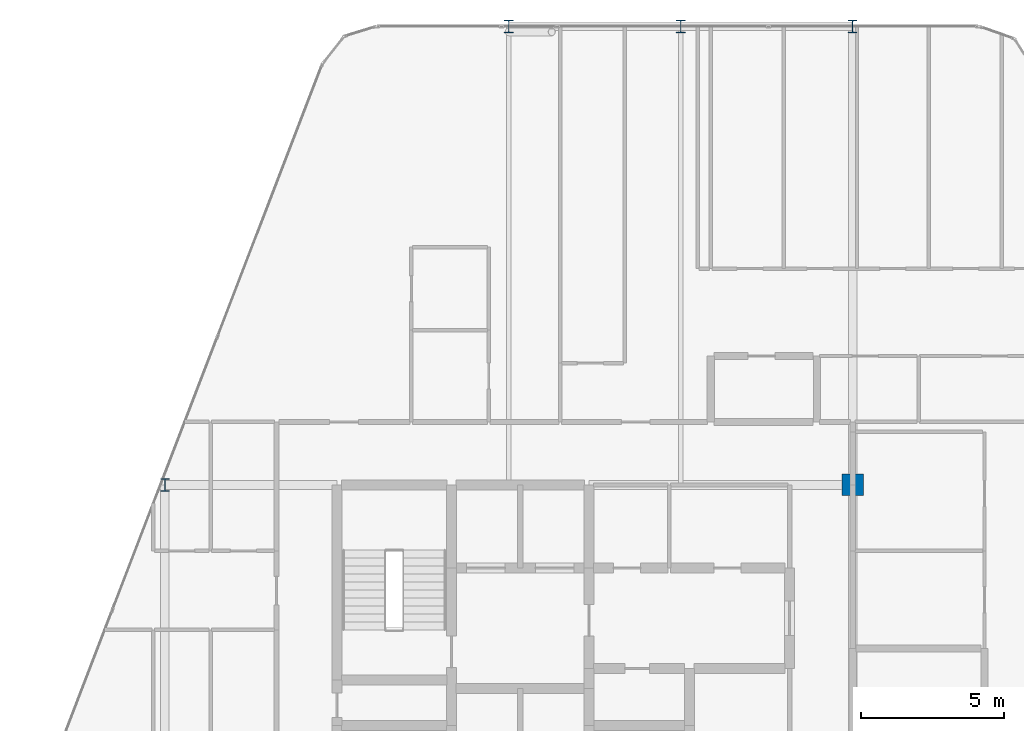
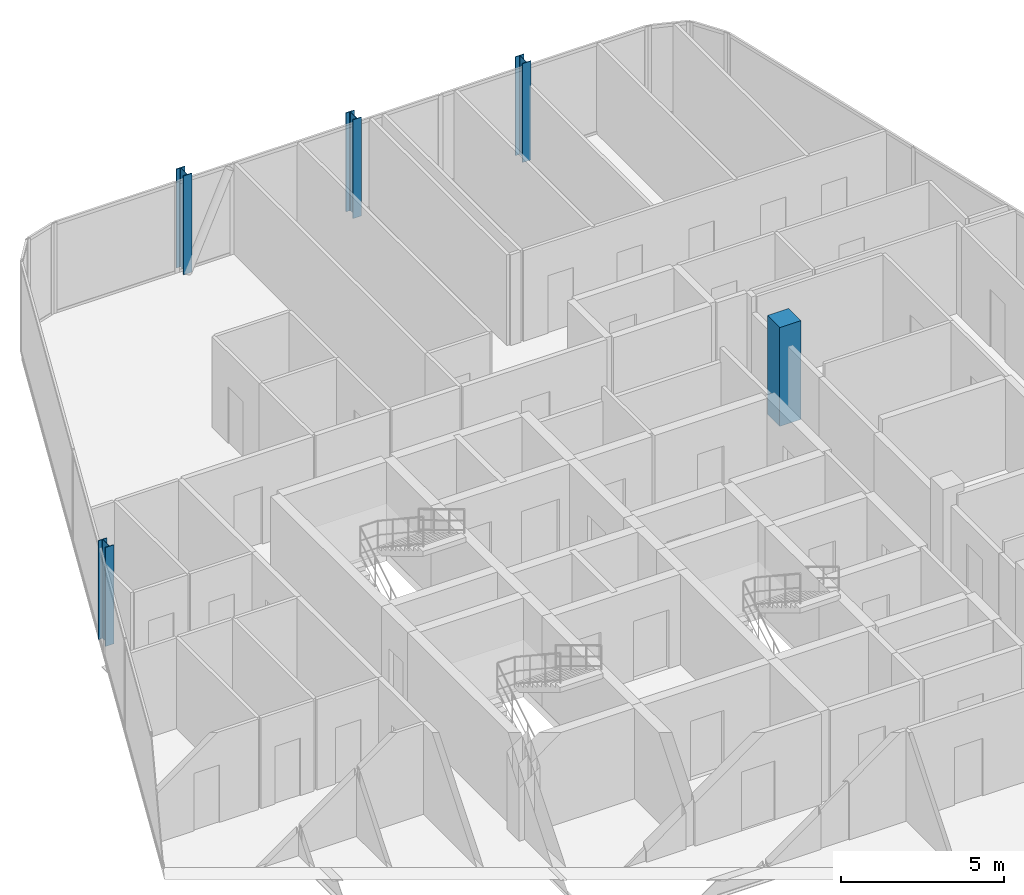
# One storey, part 3 of 29: 5 columns.
"""IFC4 building model written with IfcOpenShell, lengths in metres."""

from ifc_helpers import new_model, si_unit, direction, frame, origin, origin_2d, place, context, subcontext, project, spatial, rectangle, i_section, extrude, material, material_profile, profile_set, type_object, element, save


model = new_model("IFC4")

# Units and contexts
model_context = context("Model", 3, precision=1e-05, world=origin(), true_north=direction((0.0, 1.0)))
body_context = subcontext(model_context, "Body", "Model", "MODEL_VIEW")
ifc_project = project(units=[si_unit("LENGTHUNIT", "METRE"), si_unit("AREAUNIT", "SQUARE_METRE"), si_unit("VOLUMEUNIT", "CUBIC_METRE"), si_unit("PLANEANGLEUNIT", "RADIAN"), si_unit("MASSUNIT", "GRAM", prefix="KILO")], contexts=[model_context])

# Site, building, storey
site_placement = place(None, origin())
site = spatial("IfcSite", under=ifc_project, at=site_placement, CompositionType="ELEMENT")
building_placement = place(site_placement, origin())
building = spatial("IfcBuilding", under=site, at=building_placement, Name="Keshet Zoharim Tower", CompositionType="ELEMENT")
storey_placement = place(building_placement, frame((0.0, 0.0, 230.199951171875)))
storey = spatial("IfcBuildingStorey", under=building, at=storey_placement, Name="L57", CompositionType="ELEMENT", Elevation=230.199951171875)

# Columns
ifc_material_1 = material(Name="Steel S355", Category="steel")
ifc_material_profile_1 = material_profile(ifc_material_1, i_section(OverallWidth=0.300048828125, OverallDepth=0.449951171875, WebThickness=0.013916015625, FlangeThickness=0.02587890625, FilletRadius=0.027099609375, at=origin_2d()), Name="HEB450")
ifc_profile_set_1 = profile_set([ifc_material_profile_1], Name="Steel S355")
column_type_1 = type_object("IfcColumnType", Name="COL-HEB450", PredefinedType="COLUMN", material=ifc_profile_set_1)
for number, where, z_axis, x_axis, name in (
    (1, (9.0, 37.89990234375, 0.0), (0.0, 0.0, 1.0), (1.0, 0.0, 0.0), "L57 Column 2H"),
    (2, (21.0, 53.89990234375, 0.0), (0.0, 0.0, 1.0), (1.0, 0.0, 0.0), "L57 Column 4L"),
    (3, (27.0, 53.89990234375, 0.0), (0.0, 0.0, 1.0), (1.0, 0.0, 0.0), "L57 Column 5L"),
    (4, (33.0, 53.89990234375, 0.0), (0.0, 0.0, 1.0), (1.0, 0.0, 0.0), "L57 Column 6L"),
):
    element("IfcColumn", number, at=place(storey_placement, frame(where, z_axis=z_axis, x_axis=x_axis)), inside=storey, type_object=column_type_1, Name=name, PredefinedType="COLUMN", context=body_context, shape_type="SweptSolid", body=[
        extrude(i_section(OverallWidth=0.300048828125, OverallDepth=0.449951171875, WebThickness=0.013916015625, FlangeThickness=0.02587890625, FilletRadius=0.027099609375, at=origin_2d()), origin(), (0.0, 0.0, 1.0), 3.699951171875),
    ])
ifc_material_2 = material(Name="Concrete C50/60", Category="concrete")
ifc_material_profile_2 = material_profile(ifc_material_2, rectangle(XDim=0.75, YDim=0.75, at=origin_2d()), Name="RC750x750")
ifc_profile_set_2 = profile_set([ifc_material_profile_2], Name="Concrete C50/60")
column_type_2 = type_object("IfcColumnType", Name="COL-RC750", PredefinedType="COLUMN", material=ifc_profile_set_2)
column_placement = place(storey_placement, frame((33.0, 37.89990234375, 0.0), z_axis=(0.0, 0.0, 1.0), x_axis=(1.0, 0.0, 0.0)))
element("IfcColumn", 5, at=column_placement, inside=storey, type_object=column_type_2, Name="L57 Column 6H", PredefinedType="COLUMN", context=body_context, shape_type="SweptSolid", body=[
    extrude(rectangle(XDim=0.75, YDim=0.75, at=origin_2d()), origin(), (0.0, 0.0, 1.0), 3.699951171875),
])

save(model, "model.ifc")
